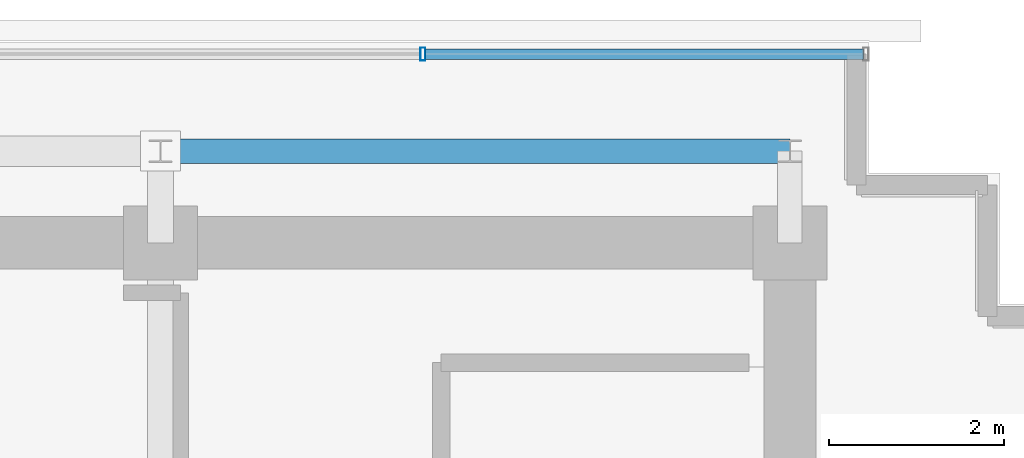
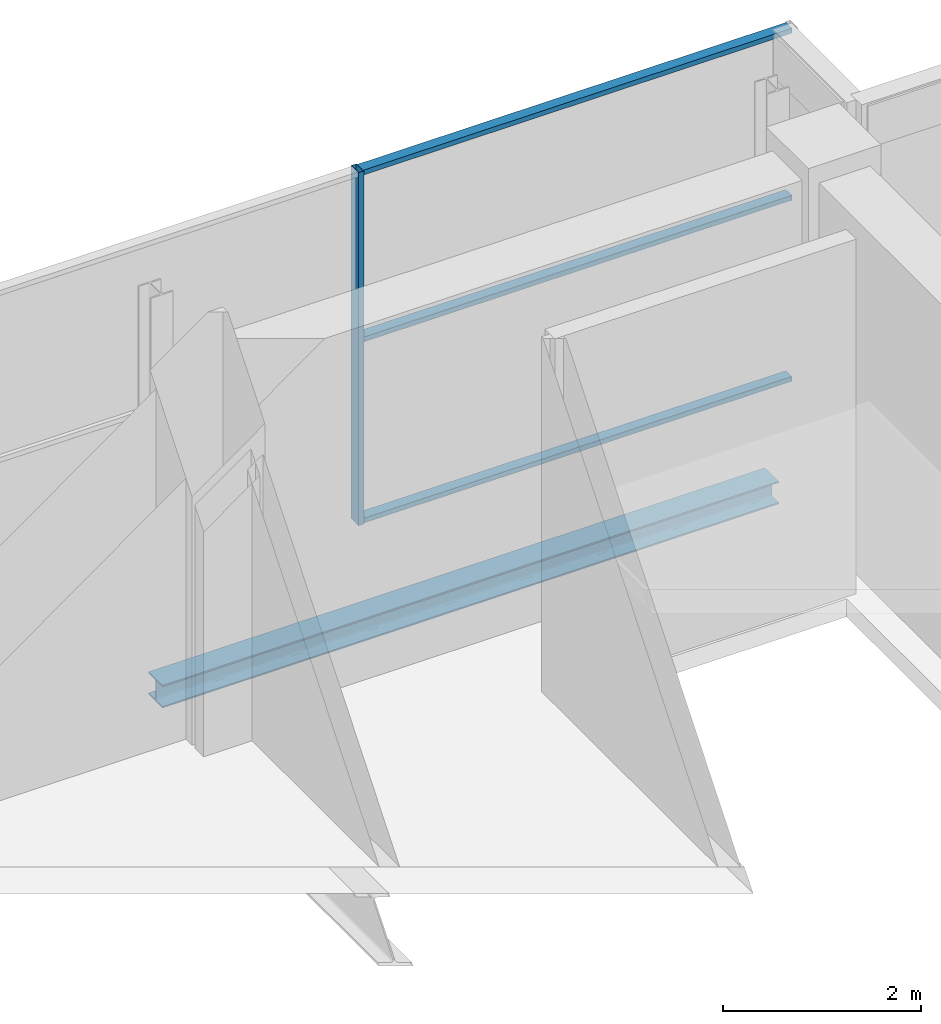
# One storey, part 19 of 28: 4 members, 1 beam, 1 element without a shape of its own.
"""IFC4 building model written with IfcOpenShell, lengths in metres."""

from ifc_helpers import new_model, si_unit, direction, frame, origin, origin_2d, place, context, subcontext, project, spatial, hollow_rectangle, i_section, extrude, source, transform, mapped, material, layer, layer_set, material_profile, profile_set, type_object, element, aggregate, save


model = new_model("IFC4")

# Units and contexts
model_context = context("Model", 3, precision=1e-05, world=origin(), true_north=direction((0.0, 1.0)))
body_context = subcontext(model_context, "Body", "Model", "MODEL_VIEW")
ifc_project = project(units=[si_unit("LENGTHUNIT", "METRE"), si_unit("AREAUNIT", "SQUARE_METRE"), si_unit("VOLUMEUNIT", "CUBIC_METRE"), si_unit("PLANEANGLEUNIT", "RADIAN"), si_unit("MASSUNIT", "GRAM", prefix="KILO")], contexts=[model_context])

# Site, building, storey
site_placement = place(None, origin())
site = spatial("IfcSite", under=ifc_project, at=site_placement, CompositionType="ELEMENT")
building_placement = place(site_placement, origin())
building = spatial("IfcBuilding", under=site, at=building_placement, Name="Zarnakvel Exchange Tower", CompositionType="ELEMENT")
storey_placement = place(building_placement, frame((0.0, 0.0, 290.0)))
storey = spatial("IfcBuildingStorey", under=building, at=storey_placement, Name="Crown L81", CompositionType="ELEMENT", Elevation=290.0)

# Beam
ifc_material_1 = material(Name="Steel S355", Category="steel")
ifc_material_profile_1 = material_profile(ifc_material_1, i_section(OverallWidth=0.280029296875, OverallDepth=0.280029296875, WebThickness=0.010498046875, FlangeThickness=0.01806640625, FilletRadius=0.02392578125, at=origin_2d()))
ifc_profile_set_1 = profile_set([ifc_material_profile_1], Name="Steel S355")
beam_type = type_object("IfcBeamType", Name="SP-04", PredefinedType="SPANDREL", material=ifc_profile_set_1)
beam_placement = place(storey_placement, frame((7.199951171875, 14.550048828125, -0.360107421875), z_axis=(1.0, 0.0, 0.0), x_axis=(0.0, 1.0, 0.0)))
element("IfcBeam", 1, at=beam_placement, inside=storey, type_object=beam_type, Name="Crown L81 Tower E-W Frame Beam", PredefinedType="SPANDREL", context=body_context, shape_type="SweptSolid", body=[
    extrude(i_section(OverallWidth=0.280029296875, OverallDepth=0.280029296875, WebThickness=0.010498046875, FlangeThickness=0.01806640625, FilletRadius=0.02392578125, at=origin_2d()), origin(), (0.0, 0.0, 1.0), 7.199951171875),
])

# Curtain wall, members
ifc_material_2 = material(Name="Architectural Bronze Anodised Aluminium", Category="aluminium")
ifc_layer = layer(ifc_material_2, 0.14990234375)
ifc_layer_set = layer_set([ifc_layer], Name="Architectural Bronze Anodised Aluminium")
curtain_wall_type = type_object("IfcCurtainWallType", Name="CW-07", PredefinedType="NOTDEFINED", material=ifc_layer_set)
curtain_wall_placement = place(storey_placement, origin())
curtain_wall = element("IfcCurtainWall", 2, at=curtain_wall_placement, inside=storey, type_object=curtain_wall_type, Name="Crown L81 Curtain Wall CW-Crown L81-N (CW-07)", PredefinedType="NOTDEFINED")
ifc_material_profile_2 = material_profile(ifc_material_2, hollow_rectangle(XDim=0.14990234375, YDim=0.06005859375, WallThickness=0.00390625, at=origin_2d()))
ifc_profile_set_2 = profile_set([ifc_material_profile_2], Name="Architectural Bronze Anodised Aluminium")
member_type_1 = type_object("IfcMemberType", Name="CWM-07", PredefinedType="MULLION", material=ifc_profile_set_2)
shared_shape_1 = source(origin(), body_context, "Body", "SweptSolid", [
    extrude(hollow_rectangle(XDim=0.14990234375, YDim=0.06005859375, WallThickness=0.00390625, at=origin_2d()), origin(), (0.0, 0.0, 1.0), 4.360107421875),
])
member_1_placement = place(storey_placement, frame((10.199951171875, 15.659912109375, 0.0), z_axis=(0.0, 0.0, 1.0), x_axis=(0.0, 1.0, 0.0)))
member_1 = element("IfcMember", 3, at=member_1_placement, type_object=member_type_1, Name="CW-07 mullion 6", PredefinedType="MULLION", context=body_context, shape_type="MappedRepresentation", body=[
    mapped(shared_shape_1, transform((0.0, 0.0, 0.0), x_axis=(1.0, 0.0, 0.0), y_axis=(0.0, 1.0, 0.0), z_axis=(0.0, 0.0, 1.0), scale=1.0)),
])
ifc_material_profile_3 = material_profile(ifc_material_2, hollow_rectangle(XDim=0.1201171875, YDim=0.06005859375, WallThickness=0.00390625, at=origin_2d()))
ifc_profile_set_3 = profile_set([ifc_material_profile_3], Name="Architectural Bronze Anodised Aluminium")
member_type_2 = type_object("IfcMemberType", Name="CWT-07", PredefinedType="USERDEFINED", material=ifc_profile_set_3)
shared_shape_2 = source(origin(), body_context, "Body", "SweptSolid", [
    extrude(hollow_rectangle(XDim=0.1201171875, YDim=0.06005859375, WallThickness=0.00390625, at=origin_2d()), origin(), (0.0, 0.0, 1.0), 5.010009765625),
])
member_2_placement = place(storey_placement, frame((10.22998046875, 15.659912109375, 0.030029296875), z_axis=(1.0, 0.0, 0.0), x_axis=(0.0, 1.0, 0.0)))
member_2 = element("IfcMember", 4, at=member_2_placement, type_object=member_type_2, Name="CW-07 transom 6.1", ObjectType="TRANSOM", PredefinedType="USERDEFINED", context=body_context, shape_type="MappedRepresentation", body=[
    mapped(shared_shape_2, transform((0.0, 0.0, 0.0), x_axis=(1.0, 0.0, 0.0), y_axis=(0.0, 1.0, 0.0), z_axis=(0.0, 0.0, 1.0), scale=1.0)),
])
member_3_placement = place(storey_placement, frame((10.22998046875, 15.659912109375, 2.26708984375), z_axis=(1.0, 0.0, 0.0), x_axis=(0.0, 1.0, 0.0)))
member_3 = element("IfcMember", 5, at=member_3_placement, type_object=member_type_2, Name="CW-07 transom 6.2", ObjectType="TRANSOM", PredefinedType="USERDEFINED", context=body_context, shape_type="MappedRepresentation", body=[
    mapped(shared_shape_2, transform((0.0, 0.0, 0.0), x_axis=(1.0, 0.0, 0.0), y_axis=(0.0, 1.0, 0.0), z_axis=(0.0, 0.0, 1.0), scale=1.0)),
])
member_4_placement = place(storey_placement, frame((10.22998046875, 15.659912109375, 4.330078125), z_axis=(1.0, 0.0, 0.0), x_axis=(0.0, 1.0, 0.0)))
member_4 = element("IfcMember", 6, at=member_4_placement, type_object=member_type_2, Name="CW-07 transom 6.3", ObjectType="TRANSOM", PredefinedType="USERDEFINED", context=body_context, shape_type="MappedRepresentation", body=[
    mapped(shared_shape_2, transform((0.0, 0.0, 0.0), x_axis=(1.0, 0.0, 0.0), y_axis=(0.0, 1.0, 0.0), z_axis=(0.0, 0.0, 1.0), scale=1.0)),
])
aggregate(curtain_wall, [member_1, member_2, member_3, member_4])

save(model, "model.ifc")
